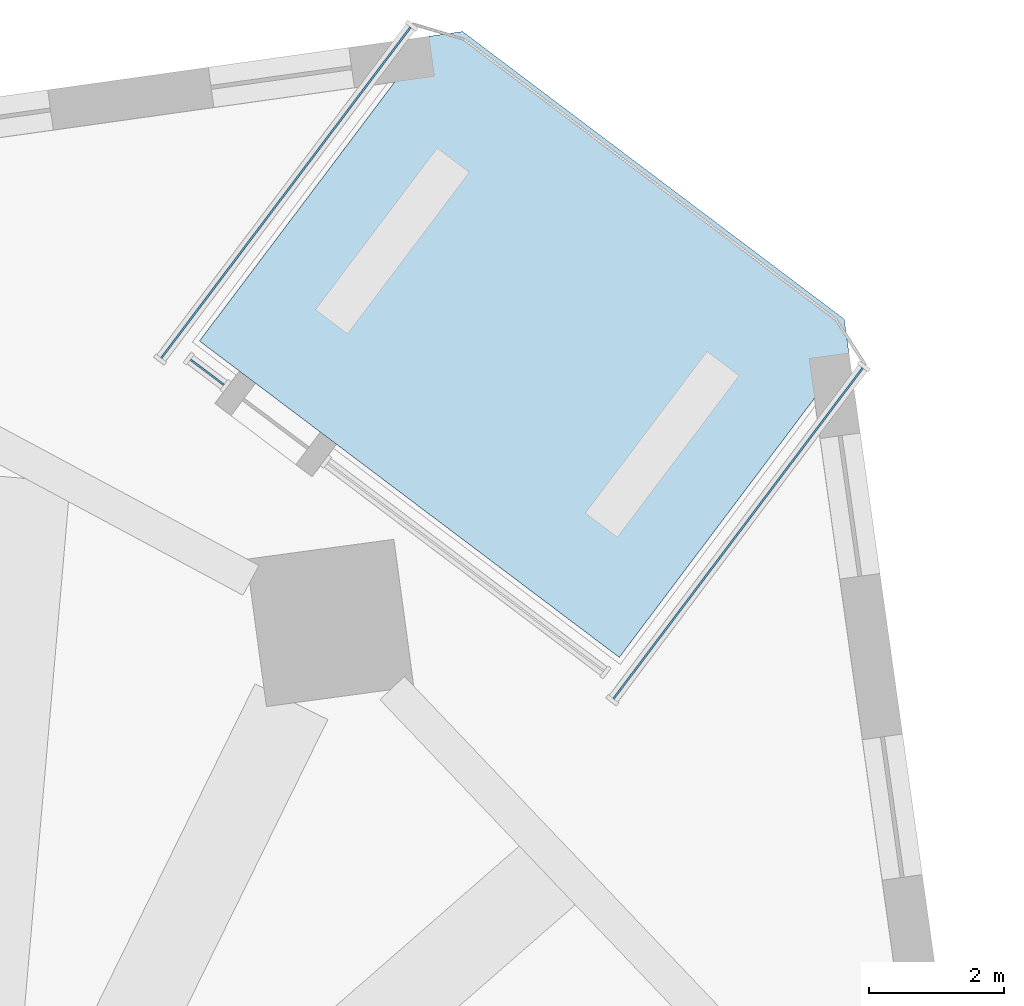
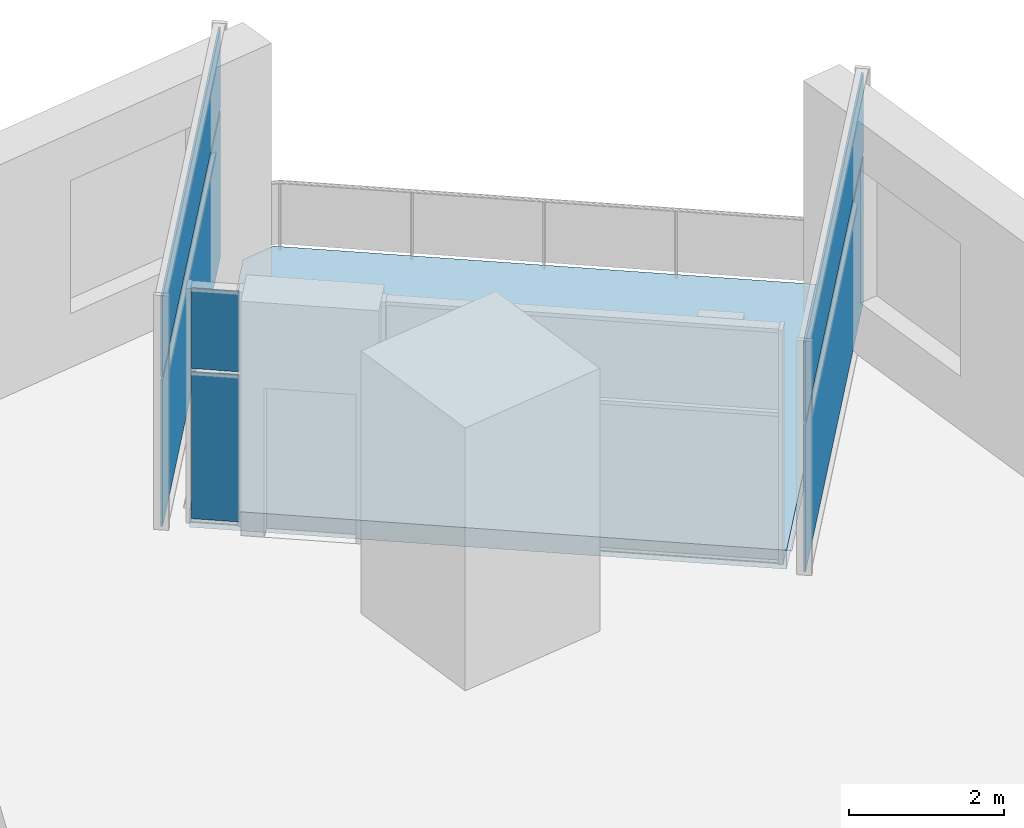
# One storey, part 4 of 12: 6 plates, 1 slab, 3 elements without a shape of their own.
"""IFC4 building model written with IfcOpenShell, lengths in metres."""

from ifc_helpers import new_model, si_unit, direction, frame, origin, origin_2d, place, context, subcontext, project, spatial, polyline, rectangle, outline, extrude, material, layer, layer_set, type_object, element, aggregate, save


model = new_model("IFC4")

# Units and contexts
model_context = context("Model", 3, precision=1e-05, world=origin(), true_north=direction((0.0, 1.0)))
body_context = subcontext(model_context, "Body", "Model", "MODEL_VIEW")
ifc_project = project(units=[si_unit("LENGTHUNIT", "METRE"), si_unit("AREAUNIT", "SQUARE_METRE"), si_unit("VOLUMEUNIT", "CUBIC_METRE"), si_unit("PLANEANGLEUNIT", "RADIAN"), si_unit("MASSUNIT", "GRAM", prefix="KILO")], contexts=[model_context])

# Site, building, storey
site_placement = place(None, origin())
site = spatial("IfcSite", under=ifc_project, at=site_placement, CompositionType="ELEMENT")
building_placement = place(site_placement, origin())
building = spatial("IfcBuilding", under=site, at=building_placement, Name="Dilmun Exchange Tower", CompositionType="ELEMENT")
storey_placement = place(building_placement, frame((0.0, 0.0, 55.5)))
storey = spatial("IfcBuildingStorey", under=building, at=storey_placement, Name="L12", CompositionType="ELEMENT", Elevation=55.5)

# Curtain wall, plates
ifc_material_1 = material(Name="Anodised aluminium and clear glass", Category="aluminium")
curtain_wall_type = type_object("IfcCurtainWallType", Name="Garden corner glazing", PredefinedType="NOTDEFINED", material=ifc_material_1)
curtain_wall_1_placement = place(storey_placement, origin())
curtain_wall_1 = element("IfcCurtainWall", 1, at=curtain_wall_1_placement, inside=storey, type_object=curtain_wall_type, Name="Garden corner glazing run GC1.1", PredefinedType="NOTDEFINED")
ifc_material_2 = material(Name="Clear glass", Category="glass")
ifc_layer_1 = layer(ifc_material_2, 0.028076171875)
ifc_layer_set_1 = layer_set([ifc_layer_1], Name="Clear glass")
plate_type = type_object("IfcPlateType", Name="Garden corner glazing glass panel 28", PredefinedType="CURTAIN_PANEL", material=ifc_layer_set_1)
plate_1_placement = place(storey_placement, frame((24.658203125, 25.761962890625, 0.06005859375), z_axis=(0.0, 0.0, 1.0), x_axis=(-0.601817092465, -0.798633950704, 0.0)))
plate_1 = element("IfcPlate", 2, at=plate_1_placement, type_object=plate_type, Name="GC1.1 panel 1.1", PredefinedType="CURTAIN_PANEL", context=body_context, shape_type="SweptSolid", body=[
    extrude(rectangle(XDim=6.12646484375, YDim=0.028076171875, at=origin_2d()), origin(), (0.0, 0.0, 1.0), 2.31005859375),
])
plate_2_placement = place(storey_placement, frame((24.658203125, 25.761962890625, 2.43017578125), z_axis=(0.0, 0.0, 1.0), x_axis=(-0.601817092465, -0.798633950704, 0.0)))
plate_2 = element("IfcPlate", 3, at=plate_2_placement, type_object=plate_type, Name="GC1.1 panel 1.2", PredefinedType="CURTAIN_PANEL", context=body_context, shape_type="SweptSolid", body=[
    extrude(rectangle(XDim=6.12646484375, YDim=0.028076171875, at=origin_2d()), origin(), (0.0, 0.0, 1.0), 1.260009765625),
])
aggregate(curtain_wall_1, [plate_1, plate_2])

curtain_wall_2_placement = place(storey_placement, origin())
curtain_wall_2 = element("IfcCurtainWall", 4, at=curtain_wall_2_placement, inside=storey, type_object=curtain_wall_type, Name="Garden corner glazing run GC2.3", PredefinedType="NOTDEFINED")
plate_3_placement = place(storey_placement, frame((16.802734375, 28.146240234375, 0.06005859375), z_axis=(0.0, 0.0, 1.0), x_axis=(-0.798650437321, 0.60179521348, 0.0)))
plate_3 = element("IfcPlate", 5, at=plate_3_placement, type_object=plate_type, Name="GC2.3 panel 1.1", PredefinedType="CURTAIN_PANEL", context=body_context, shape_type="SweptSolid", body=[
    extrude(rectangle(XDim=0.619140625, YDim=0.028076171875, at=origin_2d()), origin(), (0.0, 0.0, 1.0), 2.31005859375),
])
plate_4_placement = place(storey_placement, frame((16.802734375, 28.146240234375, 2.43017578125), z_axis=(0.0, 0.0, 1.0), x_axis=(-0.798650437321, 0.60179521348, 0.0)))
plate_4 = element("IfcPlate", 6, at=plate_4_placement, type_object=plate_type, Name="GC2.3 panel 1.2", PredefinedType="CURTAIN_PANEL", context=body_context, shape_type="SweptSolid", body=[
    extrude(rectangle(XDim=0.619140625, YDim=0.028076171875, at=origin_2d()), origin(), (0.0, 0.0, 1.0), 1.260009765625),
])
aggregate(curtain_wall_2, [plate_3, plate_4])

curtain_wall_3_placement = place(storey_placement, origin())
curtain_wall_3 = element("IfcCurtainWall", 7, at=curtain_wall_3_placement, inside=storey, type_object=curtain_wall_type, Name="Garden corner glazing run GC3.1", PredefinedType="NOTDEFINED")
plate_5_placement = place(storey_placement, frame((17.96728515625, 30.803955078125, 0.06005859375), z_axis=(0.0, 0.0, 1.0), x_axis=(0.601817092465, 0.798633950704, 0.0)))
plate_5 = element("IfcPlate", 8, at=plate_5_placement, type_object=plate_type, Name="GC3.1 panel 1.1", PredefinedType="CURTAIN_PANEL", context=body_context, shape_type="SweptSolid", body=[
    extrude(rectangle(XDim=6.12646484375, YDim=0.028076171875, at=origin_2d()), origin(), (0.0, 0.0, 1.0), 2.31005859375),
])
plate_6_placement = place(storey_placement, frame((17.96728515625, 30.803955078125, 2.43017578125), z_axis=(0.0, 0.0, 1.0), x_axis=(0.601817092465, 0.798633950704, 0.0)))
plate_6 = element("IfcPlate", 9, at=plate_6_placement, type_object=plate_type, Name="GC3.1 panel 1.2", PredefinedType="CURTAIN_PANEL", context=body_context, shape_type="SweptSolid", body=[
    extrude(rectangle(XDim=6.12646484375, YDim=0.028076171875, at=origin_2d()), origin(), (0.0, 0.0, 1.0), 1.260009765625),
])
aggregate(curtain_wall_3, [plate_5, plate_6])

# Slab
ifc_material_3 = material(Name="Concrete C40/50", Category="concrete")
ifc_layer_2 = layer(ifc_material_3, 0.300048828125)
ifc_layer_set_2 = layer_set([ifc_layer_2], Name="Concrete C40/50")
slab_type = type_object("IfcSlabType", Name="RC garden terrace slab 300", PredefinedType="FLOOR", material=ifc_layer_set_2)
slab_placement = place(storey_placement, frame((0.0, 0.0, -0.300048828125)))
element("IfcSlab", 10, at=slab_placement, inside=storey, type_object=slab_type, Name="Garden terrace slab", PredefinedType="FLOOR", context=body_context, shape_type="SweptSolid", body=[
    extrude(outline(polyline([(16.688232421875, 28.6083984375), (20.08642578125, 33.117919921875), (20.58154296875, 33.1875), (26.228759765625, 28.931884765625), (26.29833984375, 28.436767578125), (22.900146484375, 23.92724609375), (16.688232421875, 28.6083984375)])), origin(), (0.0, 0.0, 1.0), 0.300048828125),
])

save(model, "model.ifc")
